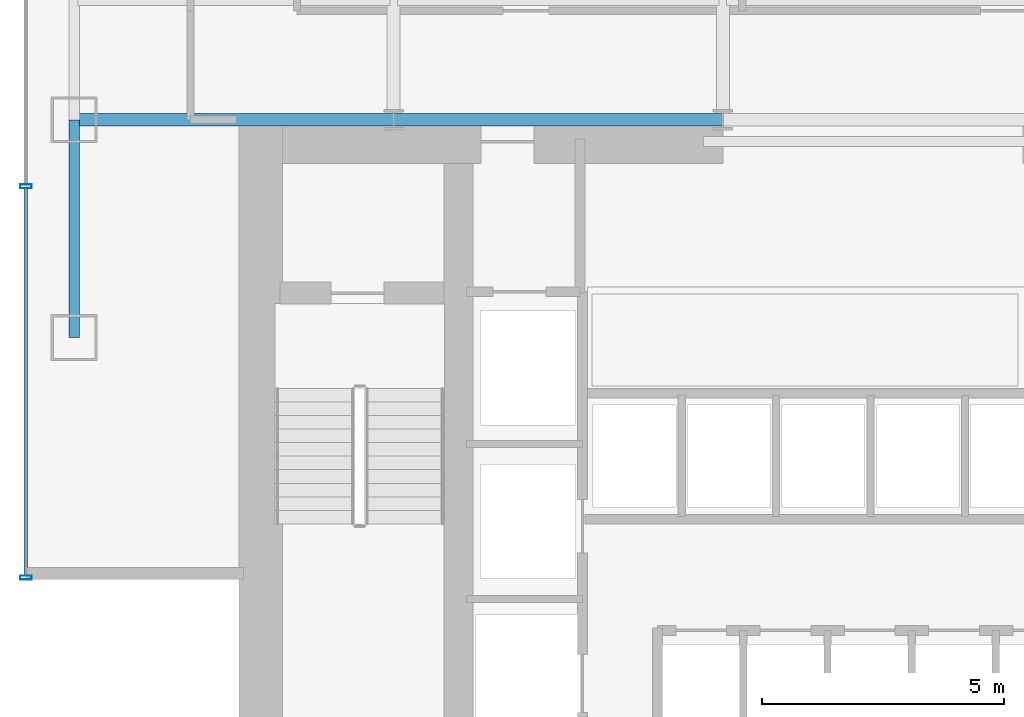
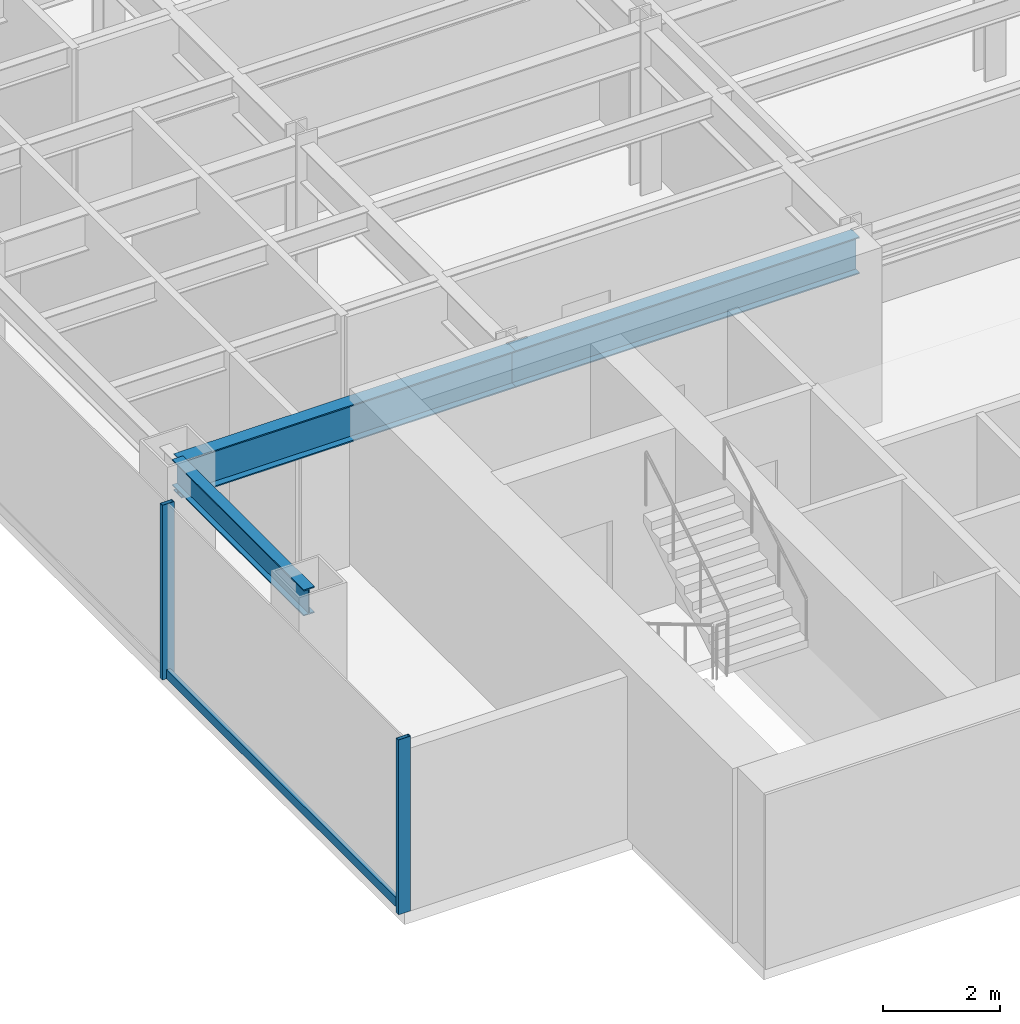
# One storey, part 2 of 23: 3 beams, 3 members, 1 element without a shape of its own.
"""IFC4 building model written with IfcOpenShell, lengths in metres."""

from ifc_helpers import new_model, si_unit, derived_unit, direction, frame, origin, origin_2d, place, context, subcontext, project, spatial, hollow_rectangle, i_section, extrude, source, transform, mapped, material, material_profile, profile_set, type_object, element, aggregate, save


model = new_model("IFC4")

# Units and contexts
model_context = context("Model", 3, precision=1e-05, world=origin(), true_north=direction((0.0, 1.0)))
body_context = subcontext(model_context, "Body", "Model", "MODEL_VIEW")
ifc_project = project(units=[si_unit("LENGTHUNIT", "METRE"), si_unit("AREAUNIT", "SQUARE_METRE"), si_unit("VOLUMEUNIT", "CUBIC_METRE"), si_unit("PLANEANGLEUNIT", "RADIAN"), si_unit("MASSUNIT", "GRAM", prefix="KILO"), derived_unit("THERMALTRANSMITTANCEUNIT", [(si_unit("POWERUNIT", "WATT"), 1), (si_unit("LENGTHUNIT", "METRE"), -2), (si_unit("THERMODYNAMICTEMPERATUREUNIT", "KELVIN"), -1)])], contexts=[model_context])

# Site, building, storey
site_placement = place(None, origin())
site = spatial("IfcSite", under=ifc_project, at=site_placement, CompositionType="ELEMENT")
building_placement = place(site_placement, origin())
building = spatial("IfcBuilding", under=site, at=building_placement, Name="Skarnbrae Concourse Arena and Tower", CompositionType="ELEMENT")
storey_placement = place(building_placement, frame((0.0, 0.0, 50.75)))
storey = spatial("IfcBuildingStorey", under=building, at=storey_placement, Name="L11", CompositionType="ELEMENT", Elevation=50.75)

# Beams
ifc_material_1 = material(Name="Steel CSA G40.21 350W", Category="steel")
ifc_material_profile_1 = material_profile(ifc_material_1, i_section(OverallWidth=0.26806640625, OverallDepth=0.77001953125, WebThickness=0.015625, FlangeThickness=0.025390625, at=origin_2d()), Name="W760X196")
ifc_profile_set_1 = profile_set([ifc_material_profile_1], Name="Steel CSA G40.21 350W")
beam_type_1 = type_object("IfcBeamType", Name="BM-GIRD-W760X196", PredefinedType="BEAM", material=ifc_profile_set_1)
shared_shape_1 = source(origin(), body_context, "Body", "SweptSolid", [
    extrude(i_section(OverallWidth=0.26806640625, OverallDepth=0.77001953125, WebThickness=0.015625, FlangeThickness=0.025390625, at=origin_2d()), origin(), (0.0, 0.0, 1.0), 6.60009765625),
])
beam_1_placement = place(storey_placement, frame((1.0, 14.0, 3.014892578125), z_axis=(1.0, 0.0, 0.0), x_axis=(0.0, 1.0, 0.0)))
element("IfcBeam", 1, at=beam_1_placement, inside=storey, type_object=beam_type_1, Name="L11 Primary E-W girder Y14.0-1", PredefinedType="BEAM", context=body_context, shape_type="MappedRepresentation", body=[
    mapped(shared_shape_1, transform((0.0, 0.0, 0.0))),
])
shared_shape_2 = source(origin(), body_context, "Body", "SweptSolid", [
    extrude(i_section(OverallWidth=0.26806640625, OverallDepth=0.77001953125, WebThickness=0.015625, FlangeThickness=0.025390625, at=origin_2d()), origin(), (0.0, 0.0, 1.0), 6.7998046875),
])
beam_2_placement = place(storey_placement, frame((7.60009765625, 14.0, 3.014892578125), z_axis=(1.0, 0.0, 0.0), x_axis=(0.0, 1.0, 0.0)))
element("IfcBeam", 2, at=beam_2_placement, inside=storey, type_object=beam_type_1, Name="L11 Primary E-W girder Y14.0-2", PredefinedType="BEAM", context=body_context, shape_type="MappedRepresentation", body=[
    mapped(shared_shape_2, transform((0.0, 0.0, 0.0))),
])
ifc_material_profile_2 = material_profile(ifc_material_1, i_section(OverallWidth=0.214111328125, OverallDepth=0.549072265625, WebThickness=0.0146484375, FlangeThickness=0.023681640625, at=origin_2d()), Name="W530X138")
ifc_profile_set_2 = profile_set([ifc_material_profile_2], Name="Steel CSA G40.21 350W")
beam_type_2 = type_object("IfcBeamType", Name="BM-SPAN-W530X138", PredefinedType="SPANDREL", material=ifc_profile_set_2)
shared_shape_3 = source(origin(), body_context, "Body", "SweptSolid", [
    extrude(i_section(OverallWidth=0.214111328125, OverallDepth=0.549072265625, WebThickness=0.0146484375, FlangeThickness=0.023681640625, at=origin_2d()), origin(), (0.0, 0.0, 1.0), 4.5),
])
beam_3_placement = place(storey_placement, frame((1.0, 9.5, 3.12548828125), z_axis=(0.0, 1.0, 0.0), x_axis=(-1.0, 0.0, 0.0)))
element("IfcBeam", 3, at=beam_3_placement, inside=storey, type_object=beam_type_2, Name="L11 Perimeter spandrel X1.0-1", PredefinedType="SPANDREL", context=body_context, shape_type="MappedRepresentation", body=[
    mapped(shared_shape_3, transform((0.0, 0.0, 0.0))),
])

# Curtain wall, members
ifc_material_2 = material(Name="Bronze anodised aluminium 6063-T6", Category="aluminium")
curtain_wall_type = type_object("IfcCurtainWallType", Name="CW-SYS-02-LOWZONE", PredefinedType="USERDEFINED", material=ifc_material_2)
curtain_wall_placement = place(storey_placement, origin())
curtain_wall = element("IfcCurtainWall", 4, at=curtain_wall_placement, inside=storey, type_object=curtain_wall_type, Name="L11 Unitised curtain wall CW-L11-E19", ObjectType="UNITISED CURTAIN WALL", PredefinedType="USERDEFINED")
ifc_material_profile_3 = material_profile(ifc_material_2, hollow_rectangle(XDim=0.080078125, YDim=0.239990234375, WallThickness=0.0048828125, at=origin_2d()), Name="ALU-MULL-80X240")
ifc_profile_set_3 = profile_set([ifc_material_profile_3], Name="Bronze anodised aluminium 6063-T6")
member_type_1 = type_object("IfcMemberType", Name="CWM-CW-02", PredefinedType="MULLION", material=ifc_profile_set_3)
shared_shape_4 = source(origin(), body_context, "Body", "SweptSolid", [
    extrude(hollow_rectangle(XDim=0.080078125, YDim=0.239990234375, WallThickness=0.0048828125, at=origin_2d()), origin(), (0.0, 0.0, 1.0), 3.64990234375),
])
member_1_placement = place(storey_placement, frame((0.0, 12.625, 0.0), z_axis=(0.0, 0.0, 1.0), x_axis=(0.0, -1.0, 0.0)))
member_1 = element("IfcMember", 5, at=member_1_placement, type_object=member_type_1, Name="CW-L11-E19 Mullion 4", PredefinedType="MULLION", context=body_context, shape_type="MappedRepresentation", body=[
    mapped(shared_shape_4, transform((0.0, 0.0, 0.0))),
])
member_2_placement = place(storey_placement, frame((0.0, 4.5400390625, 0.0), z_axis=(0.0, 0.0, 1.0), x_axis=(0.0, -1.0, 0.0)))
member_2 = element("IfcMember", 6, at=member_2_placement, type_object=member_type_1, Name="CW-L11-E19 Mullion 5", PredefinedType="MULLION", context=body_context, shape_type="MappedRepresentation", body=[
    mapped(shared_shape_4, transform((0.0, 0.0, 0.0))),
])
ifc_material_profile_4 = material_profile(ifc_material_2, hollow_rectangle(XDim=0.080078125, YDim=0.18994140625, WallThickness=0.0048828125, at=origin_2d()), Name="ALU-TRAN-80X190")
ifc_profile_set_4 = profile_set([ifc_material_profile_4], Name="Bronze anodised aluminium 6063-T6")
member_type_2 = type_object("IfcMemberType", Name="CWT-CW-02", PredefinedType="USERDEFINED", material=ifc_profile_set_4)
shared_shape_5 = source(origin(), body_context, "Body", "SweptSolid", [
    extrude(hollow_rectangle(XDim=0.080078125, YDim=0.18994140625, WallThickness=0.0048828125, at=origin_2d()), origin(), (0.0, 0.0, 1.0), 8.0048828125),
])
member_3_placement = place(storey_placement, frame((0.0, 12.5849609375, 0.094970703125), z_axis=(0.0, -1.0, 0.0), x_axis=(1.0, 0.0, 0.0)))
member_3 = element("IfcMember", 7, at=member_3_placement, type_object=member_type_2, Name="CW-L11-E19 Transom 4", ObjectType="TRANSOM", PredefinedType="USERDEFINED", context=body_context, shape_type="MappedRepresentation", body=[
    mapped(shared_shape_5, transform((0.0, 0.0, 0.0))),
])
aggregate(curtain_wall, [member_1, member_2, member_3])

save(model, "model.ifc")
